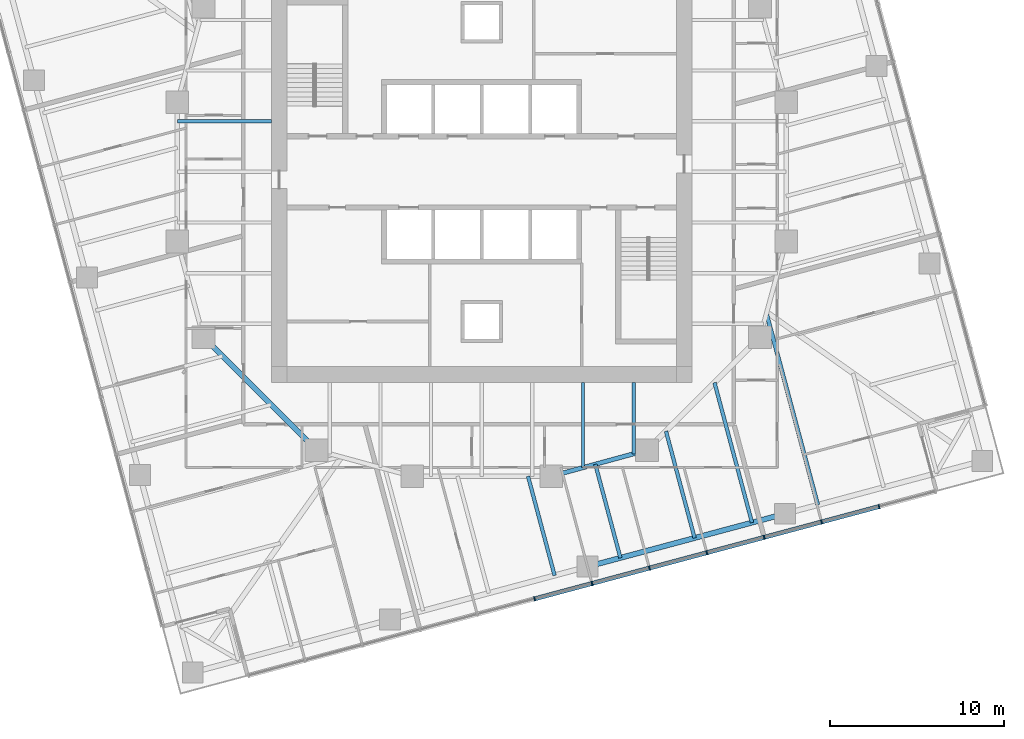
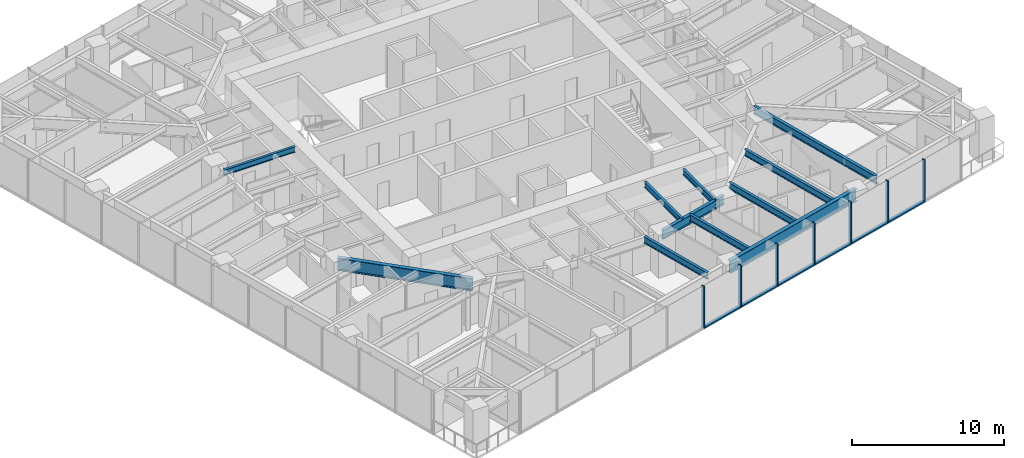
# One storey, part 3 of 14: 13 members, 11 beams, 1 element without a shape of its own.
"""IFC4 building model written with IfcOpenShell, lengths in metres."""

from ifc_helpers import new_model, si_unit, direction, frame, origin, origin_2d, place, context, subcontext, project, spatial, rectangle, i_section, extrude, material, material_profile, profile_set, type_object, element, aggregate, save


model = new_model("IFC4")

# Units and contexts
model_context = context("Model", 3, precision=1e-05, world=origin(), true_north=direction((0.0, 1.0)))
body_context = subcontext(model_context, "Body", "Model", "MODEL_VIEW")
ifc_project = project(units=[si_unit("LENGTHUNIT", "METRE"), si_unit("AREAUNIT", "SQUARE_METRE"), si_unit("VOLUMEUNIT", "CUBIC_METRE"), si_unit("PLANEANGLEUNIT", "RADIAN"), si_unit("MASSUNIT", "GRAM", prefix="KILO")], contexts=[model_context])

# Site, building, storey
site_placement = place(None, origin())
site = spatial("IfcSite", under=ifc_project, at=site_placement, CompositionType="ELEMENT")
building_placement = place(site_placement, origin())
building = spatial("IfcBuilding", under=site, at=building_placement, Name="Torsade Residences", CompositionType="ELEMENT")
storey_placement = place(building_placement, frame((0.0, 0.0, 111.60009765625)))
storey = spatial("IfcBuildingStorey", under=building, at=storey_placement, Name="L30", CompositionType="ELEMENT", Elevation=111.60009765625)

# Beams
ifc_material_1 = material(Name="Steel grade 300", Category="steel")
ifc_material_profile_1 = material_profile(ifc_material_1, i_section(OverallWidth=0.300048828125, OverallDepth=1.0, WebThickness=0.01611328125, FlangeThickness=0.028076171875, at=origin_2d()), Name="1000WB215")
ifc_profile_set_1 = profile_set([ifc_material_profile_1], Name="Steel grade 300")
beam_type_1 = type_object("IfcBeamType", Name="EDGE BEAM 1000WB215", PredefinedType="SPANDREL", material=ifc_profile_set_1)
beam_1_placement = place(storey_placement, frame((46.082275390625, 7.30078125, 2.75), z_axis=(0.965928018634, 0.258810863021, 0.0), x_axis=(-0.258810863021, 0.965928018634, 0.0)))
element("IfcBeam", 1, at=beam_1_placement, inside=storey, type_object=beam_type_1, Name="Edge beam 03 L31", PredefinedType="SPANDREL", context=body_context, shape_type="SweptSolid", body=[
    extrude(i_section(OverallWidth=0.300048828125, OverallDepth=1.0, WebThickness=0.01611328125, FlangeThickness=0.028076171875, at=origin_2d()), origin(), (0.0, 0.0, 1.0), 11.75),
])
ifc_material_2 = material(Name="Steel grade 300", Category="steel")
ifc_material_profile_2 = material_profile(ifc_material_2, i_section(OverallWidth=0.18994140625, OverallDepth=0.4541015625, WebThickness=0.008544921875, FlangeThickness=0.0126953125, FilletRadius=0.011474609375, at=origin_2d()), Name="460UB67.1")
ifc_profile_set_2 = profile_set([ifc_material_profile_2], Name="Steel grade 300")
beam_type_2 = type_object("IfcBeamType", Name="INNER FLOOR BEAM 460UB67.1", PredefinedType="JOIST", material=ifc_profile_set_2)
beam_2_placement = place(storey_placement, frame((48.737548828125, 17.89990234375, 3.02294921875), z_axis=(0.0, -1.0, 0.0), x_axis=(1.0, 0.0, 0.0)))
element("IfcBeam", 2, at=beam_2_placement, inside=storey, type_object=beam_type_2, Name="Inner floor beam IS01 L31", PredefinedType="JOIST", context=body_context, shape_type="SweptSolid", body=[
    extrude(i_section(OverallWidth=0.18994140625, OverallDepth=0.4541015625, WebThickness=0.008544921875, FlangeThickness=0.0126953125, FilletRadius=0.011474609375, at=origin_2d()), origin(), (0.0, 0.0, 1.0), 4.10791015625),
])
beam_3_placement = place(storey_placement, frame((45.824951171875, 17.89990234375, 3.02294921875), z_axis=(0.0, -1.0, 0.0), x_axis=(1.0, 0.0, 0.0)))
element("IfcBeam", 3, at=beam_3_placement, inside=storey, type_object=beam_type_2, Name="Inner floor beam IS02 L31", PredefinedType="JOIST", context=body_context, shape_type="SweptSolid", body=[
    extrude(i_section(OverallWidth=0.18994140625, OverallDepth=0.4541015625, WebThickness=0.008544921875, FlangeThickness=0.0126953125, FilletRadius=0.011474609375, at=origin_2d()), origin(), (0.0, 0.0, 1.0), 4.902099609375),
])
beam_4_placement = place(storey_placement, frame((27.89990234375, 32.91259765625, 3.02294921875), z_axis=(-1.0, 0.0, 0.0), x_axis=(0.0, -1.0, 0.0)))
element("IfcBeam", 4, at=beam_4_placement, inside=storey, type_object=beam_type_2, Name="Inner floor beam IW03 L31", PredefinedType="JOIST", context=body_context, shape_type="SweptSolid", body=[
    extrude(i_section(OverallWidth=0.18994140625, OverallDepth=0.4541015625, WebThickness=0.008544921875, FlangeThickness=0.0126953125, FilletRadius=0.011474609375, at=origin_2d()), origin(), (0.0, 0.0, 1.0), 5.39990234375),
])

# Curtain wall, members
ifc_material_3 = material(Name="Aluminium and glass", Category="aluminium")
curtain_wall_type = type_object("IfcCurtainWallType", Name="FRITTED GLASS CURTAIN WALL MID ZONE", PredefinedType="NOTDEFINED", material=ifc_material_3)
curtain_wall_placement = place(storey_placement, origin())
curtain_wall = element("IfcCurtainWall", 5, at=curtain_wall_placement, inside=storey, type_object=curtain_wall_type, Name="Curtain wall L30 face 1", PredefinedType="NOTDEFINED")
ifc_material_4 = material(Name="Aluminium mullion", Category="aluminium")
ifc_material_profile_3 = material_profile(ifc_material_4, rectangle(XDim=0.25, YDim=0.080078125, at=origin_2d()), Name="MID ZONE CURTAIN WALL MULLION 250x80")
ifc_profile_set_3 = profile_set([ifc_material_profile_3], Name="Aluminium mullion")
member_type_1 = type_object("IfcMemberType", Name="MID ZONE CURTAIN WALL MULLION 250x80", PredefinedType="MULLION", material=ifc_profile_set_3)
member_1_placement = place(storey_placement, frame((43.040771484375, 5.450439453125, 0.0), z_axis=(0.0, 0.0, 1.0), x_axis=(-0.258819047783, 0.965925825571, 0.0)))
member_1 = element("IfcMember", 6, at=member_1_placement, type_object=member_type_1, Name="Mullion 6", PredefinedType="MULLION", context=body_context, shape_type="SweptSolid", body=[
    extrude(rectangle(XDim=0.25, YDim=0.080078125, at=origin_2d()), origin(), (0.0, 0.0, 1.0), 3.39990234375),
])
member_2_placement = place(storey_placement, frame((46.341064453125, 6.334716796875, 0.0), z_axis=(0.0, 0.0, 1.0), x_axis=(-0.258819047783, 0.965925825571, 0.0)))
member_2 = element("IfcMember", 7, at=member_2_placement, type_object=member_type_1, Name="Mullion 7", PredefinedType="MULLION", context=body_context, shape_type="SweptSolid", body=[
    extrude(rectangle(XDim=0.25, YDim=0.080078125, at=origin_2d()), origin(), (0.0, 0.0, 1.0), 3.39990234375),
])
member_3_placement = place(storey_placement, frame((49.641357421875, 7.218994140625, 0.0), z_axis=(0.0, 0.0, 1.0), x_axis=(-0.258819047783, 0.965925825571, 0.0)))
member_3 = element("IfcMember", 8, at=member_3_placement, type_object=member_type_1, Name="Mullion 8", PredefinedType="MULLION", context=body_context, shape_type="SweptSolid", body=[
    extrude(rectangle(XDim=0.25, YDim=0.080078125, at=origin_2d()), origin(), (0.0, 0.0, 1.0), 3.39990234375),
])
member_4_placement = place(storey_placement, frame((52.941650390625, 8.103515625, 0.0), z_axis=(0.0, 0.0, 1.0), x_axis=(-0.258819047783, 0.965925825571, 0.0)))
member_4 = element("IfcMember", 9, at=member_4_placement, type_object=member_type_1, Name="Mullion 9", PredefinedType="MULLION", context=body_context, shape_type="SweptSolid", body=[
    extrude(rectangle(XDim=0.25, YDim=0.080078125, at=origin_2d()), origin(), (0.0, 0.0, 1.0), 3.39990234375),
])
member_5_placement = place(storey_placement, frame((56.24169921875, 8.98779296875, 0.0), z_axis=(0.0, 0.0, 1.0), x_axis=(-0.258819047783, 0.965925825571, 0.0)))
member_5 = element("IfcMember", 10, at=member_5_placement, type_object=member_type_1, Name="Mullion 10", PredefinedType="MULLION", context=body_context, shape_type="SweptSolid", body=[
    extrude(rectangle(XDim=0.25, YDim=0.080078125, at=origin_2d()), origin(), (0.0, 0.0, 1.0), 3.39990234375),
])
member_6_placement = place(storey_placement, frame((59.5419921875, 9.8720703125, 0.0), z_axis=(0.0, 0.0, 1.0), x_axis=(-0.258819047783, 0.965925825571, 0.0)))
member_6 = element("IfcMember", 11, at=member_6_placement, type_object=member_type_1, Name="Mullion 11", PredefinedType="MULLION", context=body_context, shape_type="SweptSolid", body=[
    extrude(rectangle(XDim=0.25, YDim=0.080078125, at=origin_2d()), origin(), (0.0, 0.0, 1.0), 3.39990234375),
])
member_7_placement = place(storey_placement, frame((62.84228515625, 10.75634765625, 0.0), z_axis=(0.0, 0.0, 1.0), x_axis=(-0.258819047783, 0.965925825571, 0.0)))
member_7 = element("IfcMember", 12, at=member_7_placement, type_object=member_type_1, Name="Mullion 12", PredefinedType="MULLION", context=body_context, shape_type="SweptSolid", body=[
    extrude(rectangle(XDim=0.25, YDim=0.080078125, at=origin_2d()), origin(), (0.0, 0.0, 1.0), 3.39990234375),
])
ifc_material_5 = material(Name="Aluminium transom", Category="aluminium")
ifc_material_profile_4 = material_profile(ifc_material_5, rectangle(XDim=0.25, YDim=0.110107421875, at=origin_2d()), Name="MID ZONE CURTAIN WALL TRANSOM 250x110")
ifc_profile_set_4 = profile_set([ifc_material_profile_4], Name="Aluminium transom")
member_type_2 = type_object("IfcMemberType", Name="MID ZONE CURTAIN WALL TRANSOM 250x110", PredefinedType="USERDEFINED", material=ifc_profile_set_4)
member_8_placement = place(storey_placement, frame((43.079345703125, 5.4609375, 0.054931640625), z_axis=(0.965934335648, 0.258787285653, 0.0), x_axis=(-0.258787285653, 0.965934335648, 0.0)))
member_8 = element("IfcMember", 13, at=member_8_placement, type_object=member_type_2, Name="Transom 6.1", ObjectType="TRANSOM", PredefinedType="USERDEFINED", context=body_context, shape_type="SweptSolid", body=[
    extrude(rectangle(XDim=0.25, YDim=0.110107421875, at=origin_2d()), origin(), (0.0, 0.0, 1.0), 3.3369140625),
])
member_9_placement = place(storey_placement, frame((46.379638671875, 6.34521484375, 0.054931640625), z_axis=(0.965934335648, 0.258787285653, 0.0), x_axis=(-0.258787285653, 0.965934335648, 0.0)))
member_9 = element("IfcMember", 14, at=member_9_placement, type_object=member_type_2, Name="Transom 7.1", ObjectType="TRANSOM", PredefinedType="USERDEFINED", context=body_context, shape_type="SweptSolid", body=[
    extrude(rectangle(XDim=0.25, YDim=0.110107421875, at=origin_2d()), origin(), (0.0, 0.0, 1.0), 3.3369140625),
])
member_10_placement = place(storey_placement, frame((49.679931640625, 7.2294921875, 0.054931640625), z_axis=(0.965929435155, 0.258805576255, 0.0), x_axis=(-0.258805576255, 0.965929435155, 0.0)))
member_10 = element("IfcMember", 15, at=member_10_placement, type_object=member_type_2, Name="Transom 8.1", ObjectType="TRANSOM", PredefinedType="USERDEFINED", context=body_context, shape_type="SweptSolid", body=[
    extrude(rectangle(XDim=0.25, YDim=0.110107421875, at=origin_2d()), origin(), (0.0, 0.0, 1.0), 3.336669921875),
])
member_11_placement = place(storey_placement, frame((52.980224609375, 8.11376953125, 0.054931640625), z_axis=(0.965929435155, 0.258805576255, 0.0), x_axis=(-0.258805576255, 0.965929435155, 0.0)))
member_11 = element("IfcMember", 16, at=member_11_placement, type_object=member_type_2, Name="Transom 9.1", ObjectType="TRANSOM", PredefinedType="USERDEFINED", context=body_context, shape_type="SweptSolid", body=[
    extrude(rectangle(XDim=0.25, YDim=0.110107421875, at=origin_2d()), origin(), (0.0, 0.0, 1.0), 3.336669921875),
])
member_12_placement = place(storey_placement, frame((56.280517578125, 8.998046875, 0.054931640625), z_axis=(0.965929435155, 0.258805576255, 0.0), x_axis=(-0.258805576255, 0.965929435155, 0.0)))
member_12 = element("IfcMember", 17, at=member_12_placement, type_object=member_type_2, Name="Transom 10.1", ObjectType="TRANSOM", PredefinedType="USERDEFINED", context=body_context, shape_type="SweptSolid", body=[
    extrude(rectangle(XDim=0.25, YDim=0.110107421875, at=origin_2d()), origin(), (0.0, 0.0, 1.0), 3.336669921875),
])
member_13_placement = place(storey_placement, frame((59.580810546875, 9.88232421875, 0.054931640625), z_axis=(0.965929435155, 0.258805576255, 0.0), x_axis=(-0.258805576255, 0.965929435155, 0.0)))
member_13 = element("IfcMember", 18, at=member_13_placement, type_object=member_type_2, Name="Transom 11.1", ObjectType="TRANSOM", PredefinedType="USERDEFINED", context=body_context, shape_type="SweptSolid", body=[
    extrude(rectangle(XDim=0.25, YDim=0.110107421875, at=origin_2d()), origin(), (0.0, 0.0, 1.0), 3.336669921875),
])
aggregate(curtain_wall, [member_1, member_2, member_3, member_4, member_5, member_6, member_7, member_8, member_9, member_10, member_11, member_12, member_13])

# Beams
ifc_material_6 = material(Name="Steel grade 300", Category="steel")
ifc_material_profile_5 = material_profile(ifc_material_6, i_section(OverallWidth=0.300048828125, OverallDepth=1.0, WebThickness=0.01611328125, FlangeThickness=0.028076171875, at=origin_2d()), Name="1000WB215")
ifc_profile_set_5 = profile_set([ifc_material_profile_5], Name="Steel grade 300")
beam_type_3 = type_object("IfcBeamType", Name="RING CORNER GIRDER 1000WB215", PredefinedType="BEAM", material=ifc_profile_set_5)
beam_5_placement = place(storey_placement, frame((24.0, 20.5, 2.75), z_axis=(0.707106781187, -0.707106781187, 0.0), x_axis=(0.707106781187, 0.707106781187, 0.0)))
element("IfcBeam", 19, at=beam_5_placement, inside=storey, type_object=beam_type_3, Name="Ring girder IR11 L31", PredefinedType="BEAM", context=body_context, shape_type="SweptSolid", body=[
    extrude(i_section(OverallWidth=0.300048828125, OverallDepth=1.0, WebThickness=0.01611328125, FlangeThickness=0.028076171875, at=origin_2d()), origin(), (0.0, 0.0, 1.0), 9.1923828125),
])
ifc_material_7 = material(Name="Steel grade 300", Category="steel")
ifc_material_profile_6 = material_profile(ifc_material_7, i_section(OverallWidth=0.25, OverallDepth=0.699951171875, WebThickness=0.010009765625, FlangeThickness=0.02001953125, at=origin_2d()), Name="700WB130")
ifc_profile_set_6 = profile_set([ifc_material_profile_6], Name="Steel grade 300")
beam_type_4 = type_object("IfcBeamType", Name="RING GIRDER 700WB130", PredefinedType="BEAM", material=ifc_profile_set_6)
beam_6_placement = place(storey_placement, frame((44.0, 12.5, 2.89990234375), z_axis=(0.964763821238, 0.263117405792, 0.0), x_axis=(-0.263117405792, 0.964763821238, 0.0)))
element("IfcBeam", 20, at=beam_6_placement, inside=storey, type_object=beam_type_4, Name="Ring girder IR14 L31", PredefinedType="BEAM", context=body_context, shape_type="SweptSolid", body=[
    extrude(i_section(OverallWidth=0.25, OverallDepth=0.699951171875, WebThickness=0.010009765625, FlangeThickness=0.02001953125, at=origin_2d()), origin(), (0.0, 0.0, 1.0), 5.700927734375),
])
ifc_material_8 = material(Name="Steel grade 300", Category="steel")
ifc_material_profile_7 = material_profile(ifc_material_8, i_section(OverallWidth=0.208984375, OverallDepth=0.528076171875, WebThickness=0.009521484375, FlangeThickness=0.01318359375, FilletRadius=0.013916015625, at=origin_2d()), Name="530UB82.0")
ifc_profile_set_7 = profile_set([ifc_material_profile_7], Name="Steel grade 300")
beam_type_5 = type_object("IfcBeamType", Name="SECONDARY BEAM 530UB82.0", PredefinedType="JOIST", material=ifc_profile_set_7)
beam_7_placement = place(storey_placement, frame((44.190673828125, 6.7939453125, 2.98583984375), z_axis=(-0.258837996141, 0.965920748174, 0.0), x_axis=(-0.965920748174, -0.258837996141, 0.0)))
element("IfcBeam", 21, at=beam_7_placement, inside=storey, type_object=beam_type_5, Name="Floor beam FS06 L31", PredefinedType="JOIST", context=body_context, shape_type="SweptSolid", body=[
    extrude(i_section(OverallWidth=0.208984375, OverallDepth=0.528076171875, WebThickness=0.009521484375, FlangeThickness=0.01318359375, FilletRadius=0.013916015625, at=origin_2d()), origin(), (0.0, 0.0, 1.0), 5.907470703125),
])
beam_8_placement = place(storey_placement, frame((47.973876953125, 7.8076171875, 2.98583984375), z_axis=(-0.258829517553, 0.965923020144, 0.0), x_axis=(-0.965923020144, -0.258829517553, 0.0)))
element("IfcBeam", 22, at=beam_8_placement, inside=storey, type_object=beam_type_5, Name="Floor beam FS07 L31", PredefinedType="JOIST", context=body_context, shape_type="SweptSolid", body=[
    extrude(i_section(OverallWidth=0.208984375, OverallDepth=0.528076171875, WebThickness=0.009521484375, FlangeThickness=0.01318359375, FilletRadius=0.013916015625, at=origin_2d()), origin(), (0.0, 0.0, 1.0), 5.57275390625),
])
beam_9_placement = place(storey_placement, frame((52.239990234375, 8.95068359375, 2.98583984375), z_axis=(-0.258804520856, 0.965929717932, 0.0), x_axis=(-0.965929717932, -0.258804520856, 0.0)))
element("IfcBeam", 23, at=beam_9_placement, inside=storey, type_object=beam_type_5, Name="Floor beam FS08 L31", PredefinedType="JOIST", context=body_context, shape_type="SweptSolid", body=[
    extrude(i_section(OverallWidth=0.208984375, OverallDepth=0.528076171875, WebThickness=0.009521484375, FlangeThickness=0.01318359375, FilletRadius=0.013916015625, at=origin_2d()), origin(), (0.0, 0.0, 1.0), 6.360107421875),
])
beam_10_placement = place(storey_placement, frame((55.540283203125, 9.8349609375, 2.98583984375), z_axis=(-0.258833232221, 0.96592202475, 0.0), x_axis=(-0.96592202475, -0.258833232221, 0.0)))
element("IfcBeam", 24, at=beam_10_placement, inside=storey, type_object=beam_type_5, Name="Floor beam FS09 L31", PredefinedType="JOIST", context=body_context, shape_type="SweptSolid", body=[
    extrude(i_section(OverallWidth=0.208984375, OverallDepth=0.528076171875, WebThickness=0.009521484375, FlangeThickness=0.01318359375, FilletRadius=0.013916015625, at=origin_2d()), origin(), (0.0, 0.0, 1.0), 8.33251953125),
])
ifc_material_9 = material(Name="Steel grade 300", Category="steel")
ifc_material_profile_8 = material_profile(ifc_material_9, i_section(OverallWidth=0.22900390625, OverallDepth=0.612060546875, WebThickness=0.011962890625, FlangeThickness=0.01953125, FilletRadius=0.013916015625, at=origin_2d()), Name="610UB125")
ifc_profile_set_8 = profile_set([ifc_material_profile_8], Name="Steel grade 300")
beam_type_6 = type_object("IfcBeamType", Name="SECONDARY BEAM 610UB125", PredefinedType="JOIST", material=ifc_profile_set_8)
beam_11_placement = place(storey_placement, frame((59.323486328125, 10.8486328125, 2.94384765625), z_axis=(-0.258807068179, 0.965929035417, 0.0), x_axis=(-0.965929035417, -0.258807068179, 0.0)))
element("IfcBeam", 25, at=beam_11_placement, inside=storey, type_object=beam_type_6, Name="Floor beam FS10 L31", PredefinedType="JOIST", context=body_context, shape_type="SweptSolid", body=[
    extrude(i_section(OverallWidth=0.22900390625, OverallDepth=0.612060546875, WebThickness=0.011962890625, FlangeThickness=0.01953125, FilletRadius=0.013916015625, at=origin_2d()), origin(), (0.0, 0.0, 1.0), 11.40380859375),
])

save(model, "model.ifc")
